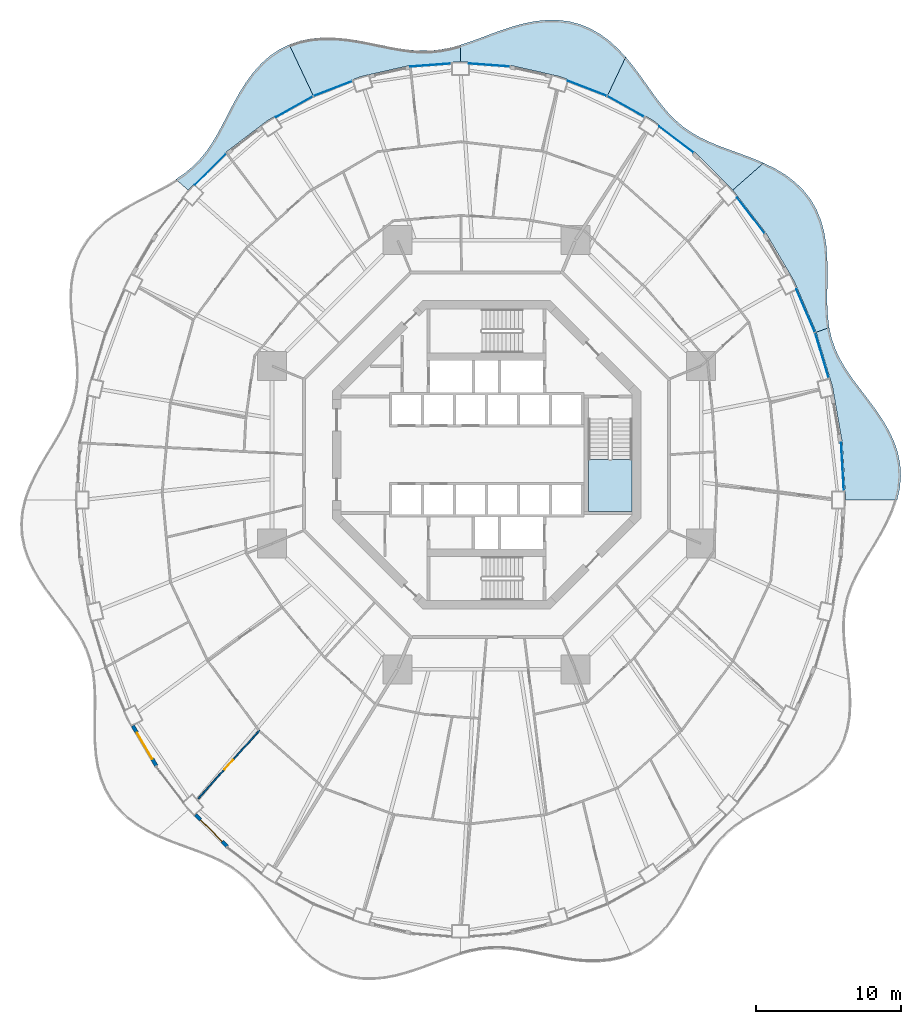
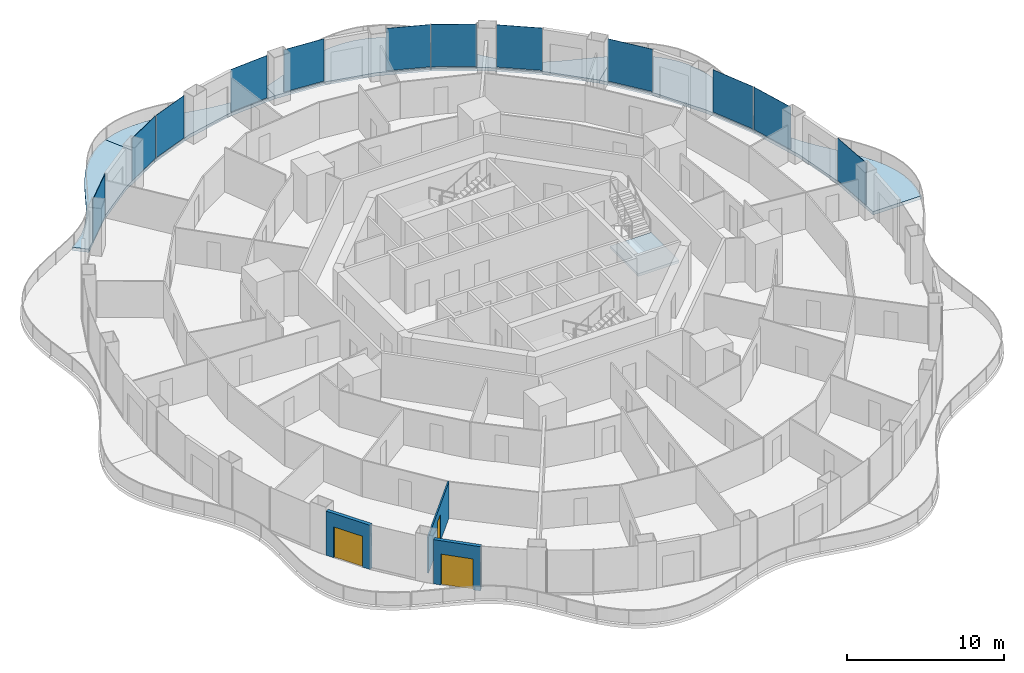
# One storey, part 11 of 20: 12 plates, 7 slabs, 3 doors, 3 walls, 3 openings, 13 elements without a shape of their own.
"""IFC4 building model written with IfcOpenShell, lengths in metres."""

from ifc_helpers import new_model, si_unit, direction, frame, frame_2d, origin, origin_2d, place, context, subcontext, project, spatial, polyline, rectangle, outline, extrude, material, layer, layer_set, type_object, element, fill, aggregate, save


model = new_model("IFC4")

# Units and contexts
model_context = context("Model", 3, precision=1e-05, world=origin(), true_north=direction((0.0, 1.0)))
body_context = subcontext(model_context, "Body", "Model", "MODEL_VIEW")
ifc_project = project(units=[si_unit("LENGTHUNIT", "METRE"), si_unit("AREAUNIT", "SQUARE_METRE"), si_unit("VOLUMEUNIT", "CUBIC_METRE"), si_unit("PLANEANGLEUNIT", "RADIAN"), si_unit("MASSUNIT", "GRAM", prefix="KILO")], contexts=[model_context])

# Site, building, storey
site_placement = place(None, origin())
site = spatial("IfcSite", under=ifc_project, at=site_placement, CompositionType="ELEMENT")
building_placement = place(site_placement, origin())
building = spatial("IfcBuilding", under=site, at=building_placement, Name="Nagisa Residences", CompositionType="ELEMENT")
storey_placement = place(building_placement, frame((0.0, 0.0, 145.5)))
storey = spatial("IfcBuildingStorey", under=building, at=storey_placement, Name="L36", CompositionType="ELEMENT", Elevation=145.5)

# Slabs
ifc_material_1 = material(Name="Concrete C40/50", Category="concrete")
ifc_layer_1 = layer(ifc_material_1, 0.25)
ifc_layer_set_1 = layer_set([ifc_layer_1], Name="BALCONY SLAB 250")
slab_type_1 = type_object("IfcSlabType", Name="BALCONY SLAB 250", PredefinedType="FLOOR", material=ifc_layer_set_1)
slab_1_placement = place(storey_placement, frame((0.0, 0.0, -0.25)))
element("IfcSlab", 1, at=slab_1_placement, inside=storey, type_object=slab_type_1, Name="slab:L36:bal00", PredefinedType="FLOOR", context=body_context, shape_type="SweptSolid", body=[
    extrude(outline(polyline([(28.282958984375, -3.11767578125), (28.4658203125, -2.30078125), (28.537841796875, -1.479736328125), (28.49267578125, -0.661865234375), (28.330810546875, 0.146728515625), (28.0595703125, 0.939453125), (27.692626953125, 1.7119140625), (27.248779296875, 2.461181640625), (26.75146484375, 3.187255859375), (26.226318359375, 3.8916015625), (25.69921875, 4.578857421875), (25.195068359375, 5.25537109375), (24.73583984375, 5.9287109375), (24.3388671875, 6.608154296875), (24.015869140625, 7.3017578125), (23.772216796875, 8.017578125), (23.606689453125, 8.761962890625), (22.715087890625, 8.4375), (23.830810546875, 4.697265625), (24.508056640625, 0.823486328125), (24.735107421875, -3.11767578125), (28.282958984375, -3.11767578125)])), origin(), (0.0, 0.0, 1.0), 0.25),
])
slab_2_placement = place(storey_placement, frame((0.0, 0.0, -0.25)))
element("IfcSlab", 2, at=slab_2_placement, inside=storey, type_object=slab_type_1, Name="slab:L36:bal01", PredefinedType="FLOOR", context=body_context, shape_type="SweptSolid", body=[
    extrude(outline(polyline([(23.606689453125, 8.761962890625), (23.512939453125, 9.513916015625), (23.47216796875, 10.297119140625), (23.4677734375, 11.10888671875), (23.4794921875, 11.944580078125), (23.48583984375, 12.79638671875), (23.46435546875, 13.653564453125), (23.39453125, 14.50439453125), (23.258056640625, 15.33544921875), (23.04052734375, 16.134033203125), (22.732421875, 16.887451171875), (22.328857421875, 17.58544921875), (21.8310546875, 18.22021484375), (21.245361328125, 18.787353515625), (20.58251953125, 19.28662109375), (19.857177734375, 19.721435546875), (19.086669921875, 20.099609375), (16.963134765625, 18.2333984375), (19.251708984375, 15.263916015625), (21.179931640625, 11.979736328125), (22.715087890625, 8.4375), (23.606689453125, 8.761962890625)])), origin(), (0.0, 0.0, 1.0), 0.25),
])
slab_3_placement = place(storey_placement, frame((0.0, 0.0, -0.25)))
element("IfcSlab", 3, at=slab_3_placement, inside=storey, type_object=slab_type_1, Name="slab:L36:bal02", PredefinedType="FLOOR", context=body_context, shape_type="SweptSolid", body=[
    extrude(outline(polyline([(19.086669921875, 20.099609375), (18.328125, 20.41748046875), (17.56201171875, 20.70654296875), (16.804443359375, 20.98046875), (16.06884765625, 21.25439453125), (15.365966796875, 21.54296875), (14.703369140625, 21.8603515625), (14.0849609375, 22.2177734375), (13.5107421875, 22.624267578125), (12.977294921875, 23.0849609375), (12.4775390625, 23.60107421875), (12.002197265625, 24.169189453125), (11.540283203125, 24.781494140625), (11.079345703125, 25.426513671875), (10.607666015625, 26.089111328125), (10.113525390625, 26.751708984375), (9.587646484375, 27.395263671875), (8.3544921875, 24.77880859375), (11.467529296875, 23.031982421875), (14.353515625, 20.837646484375), (16.963134765625, 18.2333984375), (19.086669921875, 20.099609375)])), origin(), (0.0, 0.0, 1.0), 0.25),
])
slab_4_placement = place(storey_placement, frame((0.0, 0.0, -0.25)))
element("IfcSlab", 4, at=slab_4_placement, inside=storey, type_object=slab_type_1, Name="slab:L36:bal03", PredefinedType="FLOOR", context=body_context, shape_type="SweptSolid", body=[
    extrude(outline(polyline([(9.587646484375, 27.395263671875), (9.0439453125, 27.978759765625), (8.459716796875, 28.50927734375), (7.833740234375, 28.9716796875), (7.1669921875, 29.353271484375), (6.463134765625, 29.644775390625), (5.7275390625, 29.841064453125), (4.9677734375, 29.941162109375), (4.19140625, 29.94873046875), (3.406982421875, 29.87158203125), (2.622802734375, 29.721435546875), (1.845947265625, 29.512939453125), (1.08203125, 29.263916015625), (0.334716796875, 28.992431640625), (-0.394287109375, 28.7177734375), (-1.10498046875, 28.4580078125), (-1.800048828125, 28.229248046875), (-1.800048828125, 27.077392578125), (1.66357421875, 26.819091796875), (5.06787109375, 26.04833984375), (8.3544921875, 24.77880859375), (9.587646484375, 27.395263671875)])), origin(), (0.0, 0.0, 1.0), 0.25),
])
slab_5_placement = place(storey_placement, frame((0.0, 0.0, -0.25)))
element("IfcSlab", 5, at=slab_5_placement, inside=storey, type_object=slab_type_1, Name="slab:L36:bal04", PredefinedType="FLOOR", context=body_context, shape_type="SweptSolid", body=[
    extrude(outline(polyline([(-1.800048828125, 28.229248046875), (-2.4833984375, 28.044921875), (-3.16064453125, 27.914306640625), (-3.83740234375, 27.843017578125), (-4.520263671875, 27.83203125), (-5.21484375, 27.87744140625), (-5.925537109375, 27.9716796875), (-6.65576171875, 28.102783203125), (-7.406005859375, 28.255615234375), (-8.17529296875, 28.413818359375), (-8.96044921875, 28.558837890625), (-9.755859375, 28.672607421875), (-10.553955078125, 28.73779296875), (-11.34619140625, 28.739013671875), (-12.123046875, 28.66455078125), (-12.875244140625, 28.5048828125), (-13.59326171875, 28.255859375), (-11.95458984375, 24.77880859375), (-8.667724609375, 26.04833984375), (-5.263427734375, 26.819091796875), (-1.800048828125, 27.077392578125), (-1.800048828125, 28.229248046875)])), origin(), (0.0, 0.0, 1.0), 0.25),
])
slab_6_placement = place(storey_placement, frame((0.0, 0.0, -0.25)))
element("IfcSlab", 6, at=slab_6_placement, inside=storey, type_object=slab_type_1, Name="slab:L36:bal05", PredefinedType="FLOOR", context=body_context, shape_type="SweptSolid", body=[
    extrude(outline(polyline([(-13.59326171875, 28.255859375), (-14.29443359375, 27.90185546875), (-14.944580078125, 27.454833984375), (-15.539794921875, 26.92333984375), (-16.079833984375, 26.31982421875), (-16.5673828125, 25.6591796875), (-17.008544921875, 24.959228515625), (-17.412353515625, 24.23828125), (-17.79052734375, 23.513916015625), (-18.15625, 22.802978515625), (-18.5234375, 22.11962890625), (-18.90576171875, 21.475341796875), (-19.31591796875, 20.877685546875), (-19.7646484375, 20.330322265625), (-20.259521484375, 19.8330078125), (-20.8046875, 19.3818359375), (-21.400390625, 18.96923828125), (-20.56298828125, 18.2333984375), (-17.953369140625, 20.837646484375), (-15.0673828125, 23.031982421875), (-11.95458984375, 24.77880859375), (-13.59326171875, 28.255859375)])), origin(), (0.0, 0.0, 1.0), 0.25),
])

# Curtain wall, plate
ifc_material_2 = material(Name="Concrete-coloured aluminium curtain wall system", Category="concrete")
ifc_layer_2 = layer(ifc_material_2, 0.159912109375)
ifc_layer_set_2 = layer_set([ifc_layer_2], Name="CW1 CURTAIN WALL")
curtain_wall_type = type_object("IfcCurtainWallType", Name="CW1 CURTAIN WALL", PredefinedType="NOTDEFINED", material=ifc_layer_set_2)
curtain_wall_1_placement = place(storey_placement, origin())
curtain_wall_1 = element("IfcCurtainWall", 7, at=curtain_wall_1_placement, inside=storey, type_object=curtain_wall_type, Name="cw:CW1:L36:00", PredefinedType="NOTDEFINED")
ifc_material_3 = material(Name="Clear laminated glass", Category="glass")
ifc_layer_3 = layer(ifc_material_3, 0.028076171875)
ifc_layer_set_3 = layer_set([ifc_layer_3], Name="CW1 GLASS PANEL")
plate_type = type_object("IfcPlateType", Name="CW1 GLASS PANEL", PredefinedType="CURTAIN_PANEL", material=ifc_layer_set_3)
plate_1_placement = place(storey_placement, frame((24.522705078125, -0.822265625, 0.14990234375), z_axis=(0.0, 0.0, 1.0), x_axis=(-0.057503492216, 0.998345305184, 0.0)))
plate_1 = element("IfcPlate", 8, at=plate_1_placement, type_object=plate_type, Name="CW1 panel", PredefinedType="CURTAIN_PANEL", context=body_context, shape_type="SweptSolid", body=[
    extrude(rectangle(XDim=3.287841796875, YDim=0.028076171875, at=origin_2d()), origin(), (0.0, 0.0, 1.0), 3.2900390625),
])
aggregate(curtain_wall_1, [plate_1])

curtain_wall_2_placement = place(storey_placement, origin())
curtain_wall_2 = element("IfcCurtainWall", 9, at=curtain_wall_2_placement, inside=storey, type_object=curtain_wall_type, Name="cw:CW1:L36:02", PredefinedType="NOTDEFINED")
plate_2_placement = place(storey_placement, frame((23.10205078125, 6.86083984375, 0.14990234375), z_axis=(0.0, 0.0, 1.0), x_axis=(-0.285860274038, 0.958271310082, 0.0)))
plate_2 = element("IfcPlate", 10, at=plate_2_placement, type_object=plate_type, Name="CW1 panel", PredefinedType="CURTAIN_PANEL", context=body_context, shape_type="SweptSolid", body=[
    extrude(rectangle(XDim=3.242919921875, YDim=0.028076171875, at=origin_2d()), origin(), (0.0, 0.0, 1.0), 3.2900390625),
])
aggregate(curtain_wall_2, [plate_2])

curtain_wall_3_placement = place(storey_placement, origin())
curtain_wall_3 = element("IfcCurtainWall", 11, at=curtain_wall_3_placement, inside=storey, type_object=curtain_wall_type, Name="cw:CW1:L36:03", PredefinedType="NOTDEFINED")
plate_3_placement = place(storey_placement, frame((21.9814453125, 9.928955078125, 0.14990234375), z_axis=(0.0, 0.0, 1.0), x_axis=(-0.397635934147, 0.917543276295, 0.0)))
plate_3 = element("IfcPlate", 12, at=plate_3_placement, type_object=plate_type, Name="CW1 panel", PredefinedType="CURTAIN_PANEL", context=body_context, shape_type="SweptSolid", body=[
    extrude(rectangle(XDim=3.20068359375, YDim=0.028076171875, at=origin_2d()), origin(), (0.0, 0.0, 1.0), 3.2900390625),
])
aggregate(curtain_wall_3, [plate_3])

curtain_wall_4_placement = place(storey_placement, origin())
curtain_wall_4 = element("IfcCurtainWall", 13, at=curtain_wall_4_placement, inside=storey, type_object=curtain_wall_type, Name="cw:CW1:L36:05", PredefinedType="NOTDEFINED")
plate_4_placement = place(storey_placement, frame((18.208740234375, 16.48583984375, 0.14990234375), z_axis=(0.0, 0.0, 1.0), x_axis=(-0.610429828235, 0.792070340816, 0.0)))
plate_4 = element("IfcPlate", 14, at=plate_4_placement, type_object=plate_type, Name="CW1 panel", PredefinedType="CURTAIN_PANEL", context=body_context, shape_type="SweptSolid", body=[
    extrude(rectangle(XDim=3.089111328125, YDim=0.028076171875, at=origin_2d()), origin(), (0.0, 0.0, 1.0), 3.2900390625),
])
aggregate(curtain_wall_4, [plate_4])

curtain_wall_5_placement = place(storey_placement, origin())
curtain_wall_5 = element("IfcCurtainWall", 15, at=curtain_wall_5_placement, inside=storey, type_object=curtain_wall_type, Name="cw:CW1:L36:07", PredefinedType="NOTDEFINED")
plate_5_placement = place(storey_placement, frame((13.076904296875, 21.707763671875, 0.14990234375), z_axis=(0.0, 0.0, 1.0), x_axis=(-0.79603132756, 0.605255421737, 0.0)))
plate_5 = element("IfcPlate", 16, at=plate_5_placement, type_object=plate_type, Name="CW1 panel", PredefinedType="CURTAIN_PANEL", context=body_context, shape_type="SweptSolid", body=[
    extrude(rectangle(XDim=2.965576171875, YDim=0.028076171875, at=origin_2d()), origin(), (0.0, 0.0, 1.0), 3.2900390625),
])
aggregate(curtain_wall_5, [plate_5])

curtain_wall_6_placement = place(storey_placement, origin())
curtain_wall_6 = element("IfcCurtainWall", 17, at=curtain_wall_6_placement, inside=storey, type_object=curtain_wall_type, Name="cw:CW1:L36:08", PredefinedType="NOTDEFINED")
plate_6_placement = place(storey_placement, frame((9.583984375, 23.9970703125, 0.14990234375), z_axis=(0.0, 0.0, 1.0), x_axis=(-0.872072377523, 0.489376918501, 0.0)))
plate_6 = element("IfcPlate", 18, at=plate_6_placement, type_object=plate_type, Name="CW1 panel", PredefinedType="CURTAIN_PANEL", context=body_context, shape_type="SweptSolid", body=[
    extrude(rectangle(XDim=2.90966796875, YDim=0.028076171875, at=origin_2d()), origin(), (0.0, 0.0, 1.0), 3.2900390625),
])
aggregate(curtain_wall_6, [plate_6])

curtain_wall_7_placement = place(storey_placement, origin())
curtain_wall_7 = element("IfcCurtainWall", 19, at=curtain_wall_7_placement, inside=storey, type_object=curtain_wall_type, Name="cw:CW1:L36:09", PredefinedType="NOTDEFINED")
plate_7_placement = place(storey_placement, frame((6.93408203125, 25.24169921875, 0.14990234375), z_axis=(0.0, 0.0, 1.0), x_axis=(-0.932825759707, 0.360327770268, 0.0)))
plate_7 = element("IfcPlate", 20, at=plate_7_placement, type_object=plate_type, Name="CW1 panel", PredefinedType="CURTAIN_PANEL", context=body_context, shape_type="SweptSolid", body=[
    extrude(rectangle(XDim=2.863525390625, YDim=0.028076171875, at=origin_2d()), origin(), (0.0, 0.0, 1.0), 3.2900390625),
])
aggregate(curtain_wall_7, [plate_7])

curtain_wall_8_placement = place(storey_placement, origin())
curtain_wall_8 = element("IfcCurtainWall", 21, at=curtain_wall_8_placement, inside=storey, type_object=curtain_wall_type, Name="cw:CW1:L36:11", PredefinedType="NOTDEFINED")
plate_8_placement = place(storey_placement, frame((0.195068359375, 26.848388671875, 0.14990234375), z_axis=(0.0, 0.0, 1.0), x_axis=(-0.997230168512, 0.074377355493, 0.0)))
plate_8 = element("IfcPlate", 22, at=plate_8_placement, type_object=plate_type, Name="CW1 panel", PredefinedType="CURTAIN_PANEL", context=body_context, shape_type="SweptSolid", body=[
    extrude(rectangle(XDim=2.813232421875, YDim=0.028076171875, at=origin_2d()), origin(), (0.0, 0.0, 1.0), 3.2900390625),
])
aggregate(curtain_wall_8, [plate_8])

curtain_wall_9_placement = place(storey_placement, origin())
curtain_wall_9 = element("IfcCurtainWall", 23, at=curtain_wall_9_placement, inside=storey, type_object=curtain_wall_type, Name="cw:CW1:L36:12", PredefinedType="NOTDEFINED")
plate_9_placement = place(storey_placement, frame((-3.85498046875, 26.84375, 0.14990234375), z_axis=(0.0, 0.0, 1.0), x_axis=(-0.997230168512, -0.074377355493, 0.0)))
plate_9 = element("IfcPlate", 24, at=plate_9_placement, type_object=plate_type, Name="CW1 panel", PredefinedType="CURTAIN_PANEL", context=body_context, shape_type="SweptSolid", body=[
    extrude(rectangle(XDim=2.813232421875, YDim=0.028076171875, at=origin_2d()), origin(), (0.0, 0.0, 1.0), 3.2900390625),
])
aggregate(curtain_wall_9, [plate_9])

curtain_wall_10_placement = place(storey_placement, origin())
curtain_wall_10 = element("IfcCurtainWall", 25, at=curtain_wall_10_placement, inside=storey, type_object=curtain_wall_type, Name="cw:CW1:L36:14", PredefinedType="NOTDEFINED")
plate_10_placement = place(storey_placement, frame((-10.590087890625, 25.22021484375, 0.14990234375), z_axis=(0.0, 0.0, 1.0), x_axis=(-0.932825759707, -0.360327770268, 0.0)))
plate_10 = element("IfcPlate", 26, at=plate_10_placement, type_object=plate_type, Name="CW1 panel", PredefinedType="CURTAIN_PANEL", context=body_context, shape_type="SweptSolid", body=[
    extrude(rectangle(XDim=2.863525390625, YDim=0.028076171875, at=origin_2d()), origin(), (0.0, 0.0, 1.0), 3.2900390625),
])
aggregate(curtain_wall_10, [plate_10])

curtain_wall_11_placement = place(storey_placement, origin())
curtain_wall_11 = element("IfcCurtainWall", 27, at=curtain_wall_11_placement, inside=storey, type_object=curtain_wall_type, Name="cw:CW1:L36:15", PredefinedType="NOTDEFINED")
plate_11_placement = place(storey_placement, frame((-13.236328125, 23.9677734375, 0.14990234375), z_axis=(0.0, 0.0, 1.0), x_axis=(-0.872072377523, -0.489376918501, 0.0)))
plate_11 = element("IfcPlate", 28, at=plate_11_placement, type_object=plate_type, Name="CW1 panel", PredefinedType="CURTAIN_PANEL", context=body_context, shape_type="SweptSolid", body=[
    extrude(rectangle(XDim=2.90966796875, YDim=0.028076171875, at=origin_2d()), origin(), (0.0, 0.0, 1.0), 3.2900390625),
])
aggregate(curtain_wall_11, [plate_11])

curtain_wall_12_placement = place(storey_placement, origin())
curtain_wall_12 = element("IfcCurtainWall", 29, at=curtain_wall_12_placement, inside=storey, type_object=curtain_wall_type, Name="cw:CW1:L36:17", PredefinedType="NOTDEFINED")
plate_12_placement = place(storey_placement, frame((-19.0107421875, 19.669677734375, 0.14990234375), z_axis=(0.0, 0.0, 1.0), x_axis=(-0.707835924016, -0.706376885714, 0.0)))
plate_12 = element("IfcPlate", 30, at=plate_12_placement, type_object=plate_type, Name="CW1 panel", PredefinedType="CURTAIN_PANEL", context=body_context, shape_type="SweptSolid", body=[
    extrude(rectangle(XDim=3.026611328125, YDim=0.028076171875, at=origin_2d()), origin(), (0.0, 0.0, 1.0), 3.2900390625),
])
aggregate(curtain_wall_12, [plate_12])

# Stair, slab
ifc_material_4 = material(Name="Concrete C60", Category="concrete")
stair_type = type_object("IfcStairType", Name="Exit stair", PredefinedType="HALF_TURN_STAIR", material=ifc_material_4)
stair_placement = place(storey_placement, origin())
stair = element("IfcStair", 31, at=stair_placement, inside=storey, type_object=stair_type, Name="L36 Exit stair E", PredefinedType="HALF_TURN_STAIR")
ifc_material_5 = material(Name="Concrete C60", Category="concrete")
ifc_layer_4 = layer(ifc_material_5, 0.199951171875)
ifc_layer_set_4 = layer_set([ifc_layer_4], Name="Stair landing")
slab_type_2 = type_object("IfcSlabType", Name="Stair landing", PredefinedType="LANDING", material=ifc_layer_set_4)
slab_7_placement = place(storey_placement, frame((0.0, 0.0, 1.64990234375)))
slab_7 = element("IfcSlab", 32, at=slab_7_placement, type_object=slab_type_2, Name="ST-E landing 1", PredefinedType="LANDING", context=body_context, shape_type="SweptSolid", body=[
    extrude(outline(polyline([(7.024658203125, -0.324951171875), (7.024658203125, -3.89990234375), (10.024658203125, -3.89990234375), (10.024658203125, -0.324951171875), (7.024658203125, -0.324951171875)])), origin(), (0.0, 0.0, 1.0), 0.2001953125),
])
aggregate(stair, [slab_7])

# Wall, opening, door
ifc_material_6 = material(Name="Gypsum board on steel studs", Category="steel")
ifc_layer_5 = layer(ifc_material_6, 0.10009765625)
ifc_layer_set_5 = layer_set([ifc_layer_5], Name="Apartment partition 100")
wall_type_1 = type_object("IfcWallType", Name="Apartment partition 100", PredefinedType="PARTITIONING", material=ifc_layer_set_5)
wall_1_placement = place(storey_placement, frame((-15.625732421875, -18.975830078125, 0.0), z_axis=(0.0, 0.0, 1.0), x_axis=(-0.668485690917, -0.74372500364, 0.0)))
wall_1 = element("IfcWall", 33, at=wall_1_placement, inside=storey, type_object=wall_type_1, Name="wall:L36:u69", PredefinedType="PARTITIONING", context=body_context, shape_type="SweptSolid", body=[
    extrude(rectangle(XDim=6.337158203125, YDim=0.10009765625, at=frame_2d((3.16845703125, 0.0))), origin(), (0.0, 0.0, 1.0), 2.827880859375),
])
opening_1_placement = place(wall_1_placement, frame((2.74365234375, 0.0, 0.0)))
opening_1 = element("IfcOpeningElement", 34, at=opening_1_placement, cuts=wall_1, Name="Opening L36-U36", PredefinedType="OPENING", context=body_context, shape_type="SweptSolid", body=[
    extrude(rectangle(XDim=0.89990234375, YDim=2.10009765625, at=frame_2d((0.449951171875, 1.050048828125))), frame((0.0, 0.06005859375, 0.0), z_axis=(0.0, -1.0, 0.0), x_axis=(1.0, 0.0, 0.0)), (0.0, 0.0, 1.0), 0.1201171875),
])
ifc_material_7 = material(Name="Timber door set", Category="wood")
door_type_1 = type_object("IfcDoorType", Name="Apartment door 900x2100", OperationType="NOTDEFINED", PredefinedType="DOOR", material=ifc_material_7)
door_1_placement = place(opening_1_placement, origin())
door_1 = element("IfcDoor", 35, at=door_1_placement, inside=storey, type_object=door_type_1, Name="Door to master bedroom, Apartment 36B", OperationType="SINGLE_SWING_RIGHT", OverallHeight=2.10009765625, OverallWidth=0.89990234375, PredefinedType="DOOR", context=body_context, shape_type="SweptSolid", body=[
    extrude(rectangle(XDim=0.89990234375, YDim=2.10009765625, at=frame_2d((0.449951171875, 1.050048828125))), frame((0.0, 0.02490234375, 0.0), z_axis=(0.0, -1.0, 0.0), x_axis=(1.0, 0.0, 0.0)), (0.0, 0.0, 1.0), 0.050048828125),
])
fill(opening_1, door_1)

ifc_material_8 = material(Name="Precast concrete C40/50", Category="concrete")
ifc_layer_6 = layer(ifc_material_8, 0.25)
ifc_layer_set_6 = layer_set([ifc_layer_6], Name="BALCONY DOOR WALL 250")
wall_type_2 = type_object("IfcWallType", Name="BALCONY DOOR WALL 250", PredefinedType="SOLIDWALL", material=ifc_layer_set_6)
wall_2_placement = place(storey_placement, frame((-22.743896484375, -21.43603515625, 0.0), z_axis=(0.0, 0.0, 1.0), x_axis=(-0.506314982873, 0.862348617508, 0.0)))
wall_2 = element("IfcWall", 36, at=wall_2_placement, inside=storey, type_object=wall_type_2, Name="wall:L36:bay28", PredefinedType="SOLIDWALL", context=body_context, shape_type="SweptSolid", body=[
    extrude(rectangle(XDim=3.20849609375, YDim=0.25, at=frame_2d((1.604248046875, 0.0))), origin(), (0.0, 0.0, 1.0), 3.43994140625),
])
opening_2_placement = place(wall_2_placement, frame((0.55419921875, 0.0, 0.0)))
opening_2 = element("IfcOpeningElement", 37, at=opening_2_placement, cuts=wall_2, Name="Opening BD-L36-10", PredefinedType="OPENING", context=body_context, shape_type="SweptSolid", body=[
    extrude(rectangle(XDim=2.10009765625, YDim=2.39990234375, at=frame_2d((1.050048828125, 1.199951171875))), frame((0.0, 0.135009765625, 0.0), z_axis=(0.0, -1.0, 0.0), x_axis=(1.0, 0.0, 0.0)), (0.0, 0.0, 1.0), 0.27001953125),
])
ifc_material_9 = material(Name="Aluminium and clear glass", Category="aluminium")
door_type_2 = type_object("IfcDoorType", Name="BALCONY SLIDING DOOR 2100x2400", OperationType="SLIDING_TO_LEFT", PredefinedType="DOOR", material=ifc_material_9)
door_2_placement = place(opening_2_placement, origin())
door_2 = element("IfcDoor", 38, at=door_2_placement, inside=storey, type_object=door_type_2, Name="door:L36:bay28", OperationType="SLIDING_TO_LEFT", OverallHeight=2.39990234375, OverallWidth=2.10009765625, PredefinedType="DOOR", context=body_context, shape_type="SweptSolid", body=[
    extrude(rectangle(XDim=2.10009765625, YDim=2.39990234375, at=frame_2d((1.050048828125, 1.199951171875))), frame((0.0, 0.02490234375, 0.0), z_axis=(0.0, -1.0, 0.0), x_axis=(1.0, 0.0, 0.0)), (0.0, 0.0, 1.0), 0.050048828125),
])
fill(opening_2, door_2)

wall_3_placement = place(storey_placement, frame((-17.865234375, -26.984619140625, 0.0), z_axis=(0.0, 0.0, 1.0), x_axis=(-0.707818274975, 0.706394570768, 0.0)))
wall_3 = element("IfcWall", 39, at=wall_3_placement, inside=storey, type_object=wall_type_2, Name="wall:L36:bay30", PredefinedType="SOLIDWALL", context=body_context, shape_type="SweptSolid", body=[
    extrude(rectangle(XDim=3.086669921875, YDim=0.25, at=frame_2d((1.54345703125, 0.0))), origin(), (0.0, 0.0, 1.0), 3.43994140625),
])
opening_3_placement = place(wall_3_placement, frame((0.493408203125, 0.0, 0.0)))
opening_3 = element("IfcOpeningElement", 40, at=opening_3_placement, cuts=wall_3, Name="Opening BD-L36-11", PredefinedType="OPENING", context=body_context, shape_type="SweptSolid", body=[
    extrude(rectangle(XDim=2.10009765625, YDim=2.39990234375, at=frame_2d((1.050048828125, 1.199951171875))), frame((0.0, 0.135009765625, 0.0), z_axis=(0.0, -1.0, 0.0), x_axis=(1.0, 0.0, 0.0)), (0.0, 0.0, 1.0), 0.27001953125),
])
door_3_placement = place(opening_3_placement, origin())
door_3 = element("IfcDoor", 41, at=door_3_placement, inside=storey, type_object=door_type_2, Name="door:L36:bay30", OperationType="SLIDING_TO_LEFT", OverallHeight=2.39990234375, OverallWidth=2.10009765625, PredefinedType="DOOR", context=body_context, shape_type="SweptSolid", body=[
    extrude(rectangle(XDim=2.10009765625, YDim=2.39990234375, at=frame_2d((1.050048828125, 1.199951171875))), frame((0.0, 0.02490234375, 0.0), z_axis=(0.0, -1.0, 0.0), x_axis=(1.0, 0.0, 0.0)), (0.0, 0.0, 1.0), 0.050048828125),
])
fill(opening_3, door_3)

save(model, "model.ifc")
